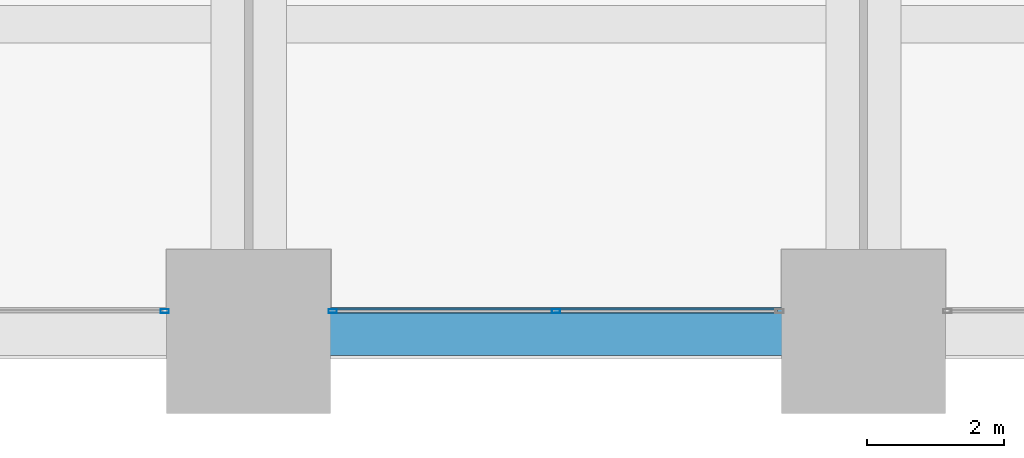
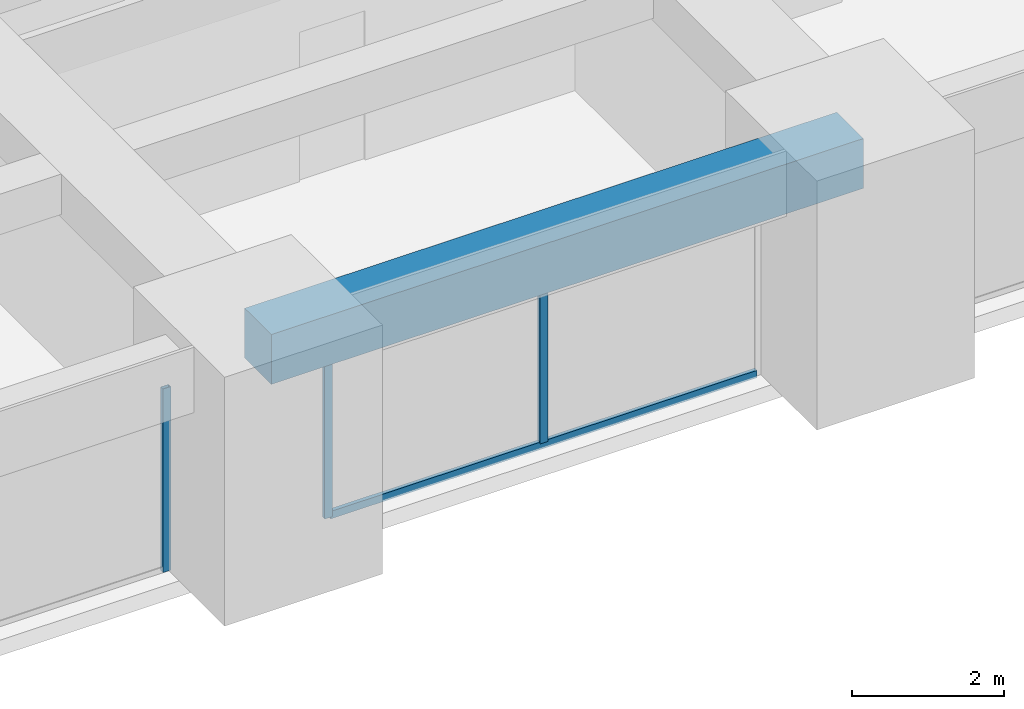
# One storey, part 9 of 45: 4 members, 1 beam, 2 elements without a shape of their own.
"""IFC4 building model written with IfcOpenShell, lengths in metres."""

from ifc_helpers import new_model, si_unit, direction, frame, origin, origin_2d, place, context, subcontext, project, spatial, rectangle, hollow_rectangle, extrude, material, material_profile, profile_set, type_object, element, aggregate, save


model = new_model("IFC4")

# Units and contexts
model_context = context("Model", 3, precision=1e-05, world=origin(), true_north=direction((0.0, 1.0)))
body_context = subcontext(model_context, "Body", "Model", "MODEL_VIEW")
ifc_project = project(units=[si_unit("LENGTHUNIT", "METRE"), si_unit("AREAUNIT", "SQUARE_METRE"), si_unit("VOLUMEUNIT", "CUBIC_METRE"), si_unit("PLANEANGLEUNIT", "RADIAN"), si_unit("MASSUNIT", "GRAM", prefix="KILO")], contexts=[model_context])

# Site, building, storey
site_placement = place(None, origin())
site = spatial("IfcSite", under=ifc_project, at=site_placement, CompositionType="ELEMENT")
building_placement = place(site_placement, origin())
building = spatial("IfcBuilding", under=site, at=building_placement, Name="Zorevar Civic Tower", CompositionType="ELEMENT")
storey_placement = place(building_placement, frame((0.0, 0.0, 247.39990234375)))
storey = spatial("IfcBuildingStorey", under=building, at=storey_placement, Name="L60", CompositionType="ELEMENT", Elevation=247.39990234375)

# Curtain wall, member
ifc_material_1 = material(Name="Dark grey solar-control glass in black aluminium frame", Category="aluminium")
curtain_wall_type = type_object("IfcCurtainWallType", Name="Curtain wall CW5 top zone", PredefinedType="NOTDEFINED", material=ifc_material_1)
curtain_wall_1_placement = place(storey_placement, origin())
curtain_wall_1 = element("IfcCurtainWall", 1, at=curtain_wall_1_placement, inside=storey, type_object=curtain_wall_type, Name="CW5 L60", PredefinedType="NOTDEFINED")
ifc_material_2 = material(Name="Aluminium, black anodised", Category="aluminium")
ifc_material_profile_1 = material_profile(ifc_material_2, hollow_rectangle(XDim=0.06005859375, YDim=0.1201171875, WallThickness=0.0029296875, at=origin_2d()), Name="AL 120x60x3")
ifc_profile_set_1 = profile_set([ifc_material_profile_1], Name="Aluminium, black anodised")
member_type_1 = type_object("IfcMemberType", Name="CW5 mullion AL 120x60x3", PredefinedType="MULLION", material=ifc_profile_set_1)
member_1_placement = place(storey_placement, frame((25.77001953125, 0.300048828125, 0.0), z_axis=(0.0, 0.0, 1.0), x_axis=(0.0, 1.0, 0.0)))
member_1 = element("IfcMember", 2, at=member_1_placement, type_object=member_type_1, Name="CW5 mullion 3", PredefinedType="MULLION", context=body_context, shape_type="SweptSolid", body=[
    extrude(hollow_rectangle(XDim=0.06005859375, YDim=0.1201171875, WallThickness=0.0029296875, at=origin_2d()), origin(), (0.0, 0.0, 1.0), 2.9501953125),
])
aggregate(curtain_wall_1, [member_1])

# Curtain wall, members
curtain_wall_2_placement = place(storey_placement, origin())
curtain_wall_2 = element("IfcCurtainWall", 3, at=curtain_wall_2_placement, inside=storey, type_object=curtain_wall_type, Name="CW5 L60", PredefinedType="NOTDEFINED")
member_2_placement = place(storey_placement, frame((28.22998046875, 0.300048828125, 0.0), z_axis=(0.0, 0.0, 1.0), x_axis=(0.0, 1.0, 0.0)))
member_2 = element("IfcMember", 4, at=member_2_placement, type_object=member_type_1, Name="CW5 mullion 1", PredefinedType="MULLION", context=body_context, shape_type="SweptSolid", body=[
    extrude(hollow_rectangle(XDim=0.06005859375, YDim=0.1201171875, WallThickness=0.0029296875, at=origin_2d()), origin(), (0.0, 0.0, 1.0), 2.9501953125),
])
member_3_placement = place(storey_placement, frame((31.5, 0.300048828125, 0.06005859375), z_axis=(0.0, 0.0, 1.0), x_axis=(0.0, 1.0, 0.0)))
member_3 = element("IfcMember", 5, at=member_3_placement, type_object=member_type_1, Name="CW5 mullion 2", PredefinedType="MULLION", context=body_context, shape_type="SweptSolid", body=[
    extrude(hollow_rectangle(XDim=0.06005859375, YDim=0.1201171875, WallThickness=0.0029296875, at=origin_2d()), origin(), (0.0, 0.0, 1.0), 2.89013671875),
])
ifc_material_3 = material(Name="Aluminium, black anodised", Category="aluminium")
ifc_material_profile_2 = material_profile(ifc_material_3, hollow_rectangle(XDim=0.06005859375, YDim=0.1201171875, WallThickness=0.0029296875, at=origin_2d()), Name="AL 120x60x3")
ifc_profile_set_2 = profile_set([ifc_material_profile_2], Name="Aluminium, black anodised")
member_type_2 = type_object("IfcMemberType", Name="CW5 transom AL 120x60x3", PredefinedType="USERDEFINED", material=ifc_profile_set_2)
member_4_placement = place(storey_placement, frame((28.260009765625, 0.300048828125, 0.030029296875), z_axis=(1.0, 0.0, 0.0), x_axis=(0.0, 1.0, 0.0)))
member_4 = element("IfcMember", 6, at=member_4_placement, type_object=member_type_2, Name="CW5 sill transom", ObjectType="TRANSOM", PredefinedType="USERDEFINED", context=body_context, shape_type="SweptSolid", body=[
    extrude(hollow_rectangle(XDim=0.06005859375, YDim=0.1201171875, WallThickness=0.0029296875, at=origin_2d()), origin(), (0.0, 0.0, 1.0), 6.47998046875),
])
aggregate(curtain_wall_2, [member_2, member_3, member_4])

# Beam
ifc_material_4 = material(Name="Concrete C50/60", Category="concrete")
ifc_material_profile_3 = material_profile(ifc_material_4, rectangle(XDim=0.699951171875, YDim=0.800048828125, at=origin_2d()), Name="RC 700x800")
ifc_profile_set_3 = profile_set([ifc_material_profile_3], Name="Concrete C50/60")
beam_type = type_object("IfcBeamType", Name="Edge beam RC 700x800", PredefinedType="SPANDREL", material=ifc_profile_set_3)
beam_placement = place(storey_placement, frame((27.0, 0.0, 3.35009765625), z_axis=(1.0, 0.0, 0.0), x_axis=(0.0, 1.0, 0.0)))
element("IfcBeam", 7, at=beam_placement, inside=storey, type_object=beam_type, Name="Edge beam L61", PredefinedType="SPANDREL", context=body_context, shape_type="SweptSolid", body=[
    extrude(rectangle(XDim=0.699951171875, YDim=0.800048828125, at=origin_2d()), origin(), (0.0, 0.0, 1.0), 9.0),
])

save(model, "model.ifc")
